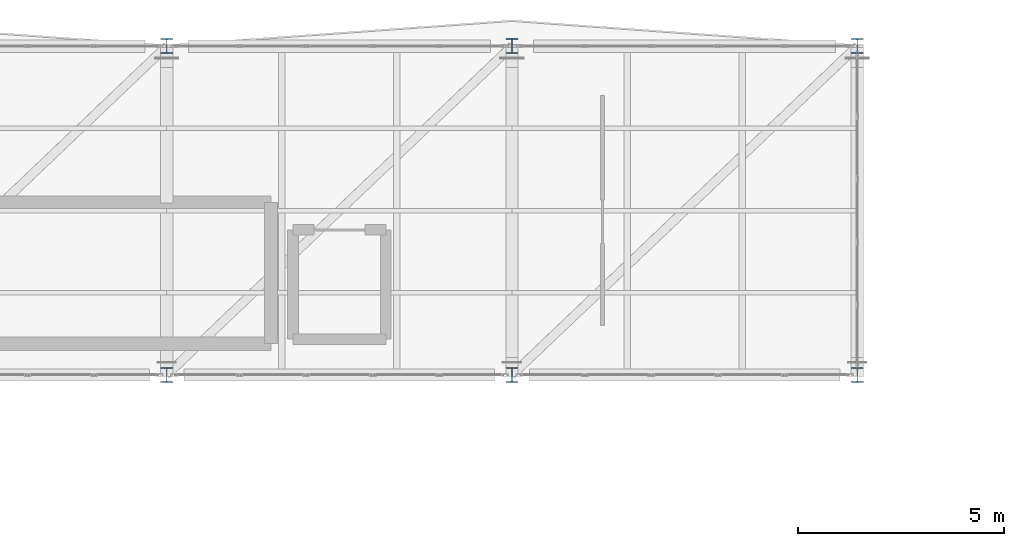
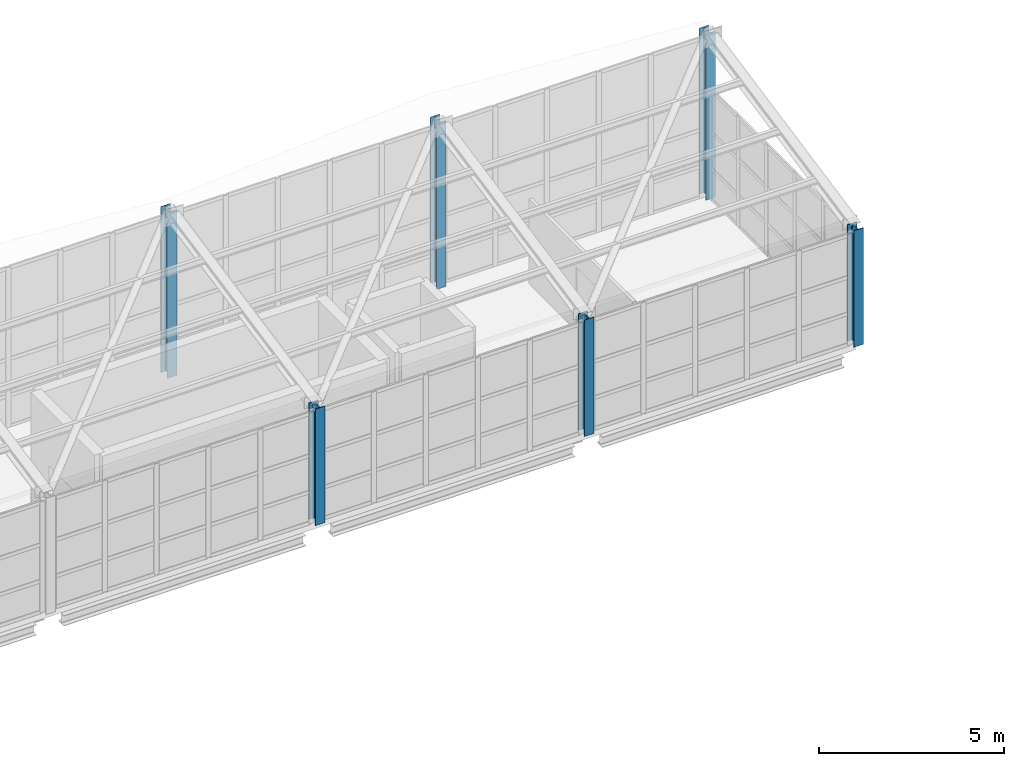
# One storey, part 7 of 177: 6 columns.
"""IFC4 building model written with IfcOpenShell, lengths in metres."""

import ifcopenshell
import ifcopenshell.guid

model = None  # the IFC model being written
_history = None  # IfcOwnerHistory: only IFC2X3 demands one
_inside = {}  # id of a spatial element -> (the spatial element, [elements in it])
_under = {}  # id of a project, library or spatial element -> (it, [spatial elements below it])
_declared = {}  # id of a project -> (the project, [libraries it declares])
_typed = {}  # id of a type object -> (the type object, [elements of that type])
_made_of = {}  # id of a material, layer set ... -> (it, [elements and type objects made of it])


def new_model(schema):
    """Start an empty IFC model of exactly this schema.

    Asked for "IFC4X3", IfcOpenShell would pick the latest addendum, in which some entities
    have other attributes; the version numbers below select the first issue.
    IFC2X3 requires an IfcOwnerHistory on every rooted entity: one is made here for all.
    """
    global model, _history
    if schema == "IFC4X3":
        model = ifcopenshell.file(schema_version=(4, 3, 0, 0))
    else:
        model = ifcopenshell.file(schema=schema)
    _inside.clear()
    _under.clear()
    _declared.clear()
    _typed.clear()
    _made_of.clear()
    _history = None
    if model.schema == "IFC2X3":
        org = make("IfcOrganization", Name="unknown")
        user = make(
            "IfcPersonAndOrganization",
            ThePerson=make("IfcPerson", FamilyName="unknown"),
            TheOrganization=org,
        )
        app = make(
            "IfcApplication",
            ApplicationDeveloper=org,
            Version="unknown",
            ApplicationFullName="unknown",
            ApplicationIdentifier="unknown",
        )
        _history = make(
            "IfcOwnerHistory",
            OwningUser=user,
            OwningApplication=app,
            ChangeAction="ADDED",
            CreationDate=0,
        )
    return model


def make(cls, **values):
    """One entity of the class cls with the attributes given. An attribute that is None is left unset."""
    return model.create_entity(
        cls, **{name: value for name, value in values.items() if value is not None}
    )


def rooted(cls, **values):
    """An entity with a GlobalId (a new one), such as an element, a storey or a relation."""
    return make(cls, GlobalId=ifcopenshell.guid.new(), OwnerHistory=_history, **values)


def si_unit(unit_type, name, prefix=None):
    """IfcSIUnit, for example si_unit("LENGTHUNIT", "METRE", prefix="MILLI")."""
    return make("IfcSIUnit", UnitType=unit_type, Prefix=prefix, Name=name)


def assignment(units):
    """IfcUnitAssignment: the units of a project."""
    return None if units is None else make("IfcUnitAssignment", Units=units)


def point(xyz):
    """IfcCartesianPoint."""
    return None if xyz is None else make("IfcCartesianPoint", Coordinates=xyz)


def direction(xyz):
    """IfcDirection."""
    return None if xyz is None else make("IfcDirection", DirectionRatios=xyz)


def frame(location, z_axis=None, x_axis=None):
    """IfcAxis2Placement3D, a coordinate frame: its origin and axes. An axis left out is left unset."""
    return make(
        "IfcAxis2Placement3D",
        Location=point(location),
        Axis=direction(z_axis),
        RefDirection=direction(x_axis),
    )


def frame_2d(location, x_axis=None):
    """IfcAxis2Placement2D, a coordinate frame in the plane: its origin and x axis."""
    return make(
        "IfcAxis2Placement2D", Location=point(location), RefDirection=direction(x_axis)
    )


def origin():
    """The frame at (0, 0, 0) with its axes left unset."""
    return frame((0.0, 0.0, 0.0))


def origin_2d():
    """The frame at (0, 0) in the plane with its x axis left unset."""
    return frame_2d((0.0, 0.0))


def place(relative_to, where):
    """IfcLocalPlacement: puts the frame where relative to a parent placement (None: the world)."""
    return make(
        "IfcLocalPlacement", PlacementRelTo=relative_to, RelativePlacement=where
    )


def context(
    kind, dimensions, precision=None, world=None, true_north=None, identifier=None
):
    """IfcGeometricRepresentationContext, for example the 3D "Model" context."""
    return make(
        "IfcGeometricRepresentationContext",
        ContextIdentifier=identifier,
        ContextType=kind,
        CoordinateSpaceDimension=dimensions,
        Precision=precision,
        WorldCoordinateSystem=world,
        TrueNorth=true_north,
    )


def subcontext(parent, identifier, kind, view, scale=None):
    """IfcGeometricRepresentationSubContext, for example "Body" below "Model"."""
    return make(
        "IfcGeometricRepresentationSubContext",
        ContextIdentifier=identifier,
        ContextType=kind,
        ParentContext=parent,
        TargetScale=scale,
        TargetView=view,
    )


def project(units=None, contexts=None):
    """IfcProject with its units and contexts."""
    return rooted(
        "IfcProject",
        Name="project",
        RepresentationContexts=contexts,
        UnitsInContext=assignment(units),
    )


def spatial(cls, under=None, at=None, **own):
    """A site, building, storey or space (cls), placed at a placement, below another one or the project."""
    s = rooted(cls, ObjectPlacement=at, **own)
    if under is not None:
        _under.setdefault(under.id(), (under, []))[1].append(s)
    return s


def profile(cls, at=None, kind="AREA", **sizes):
    """A parametric profile (cls). Its sizes go by their IFC names, for example OverallWidth=200.0."""
    return make(cls, ProfileType=kind, Position=at, **sizes)


def i_section(**sizes):
    """IfcIShapeProfileDef."""
    return profile("IfcIShapeProfileDef", **sizes)


def extrude(swept, where, along, depth):
    """IfcExtrudedAreaSolid: the profile swept, set in the frame where, extruded along a direction by depth."""
    return make(
        "IfcExtrudedAreaSolid",
        SweptArea=swept,
        Position=where,
        ExtrudedDirection=direction(along),
        Depth=depth,
    )


def shape(context_of_items, identifier, shape_type, items):
    """IfcShapeRepresentation: the items that make up one representation, for example the "Body"."""
    return make(
        "IfcShapeRepresentation",
        ContextOfItems=context_of_items,
        RepresentationIdentifier=identifier,
        RepresentationType=shape_type,
        Items=items,
    )


def material(Name=None, Category=None):
    """IfcMaterial."""
    return make("IfcMaterial", Name=Name, Category=Category)


def material_profile(
    of_material, cross_section, Name=None, Category=None, Priority=None
):
    """IfcMaterialProfile: a cross section and its material."""
    return make(
        "IfcMaterialProfile",
        Name=Name,
        Material=of_material,
        Profile=cross_section,
        Priority=Priority,
        Category=Category,
    )


def profile_set(profiles, Name=None, composite=None):
    """IfcMaterialProfileSet."""
    return make(
        "IfcMaterialProfileSet",
        Name=Name,
        MaterialProfiles=profiles,
        CompositeProfile=composite,
    )


def made_of(thing, what):
    """Note that an element or type object is made of a material, layer set ...; save() writes the relation."""
    if what is not None:
        _made_of.setdefault(what.id(), (what, []))[1].append(thing)
    return thing


def type_object(cls, material=None, **own):
    """A type object (cls), such as IfcWallType, which elements share."""
    return made_of(rooted(cls, **own), material)


def element(
    cls,
    number,
    at=None,
    inside=None,
    cuts=None,
    type_object=None,
    material=None,
    context=None,
    identifier="Body",
    shape_type=None,
    held_by="IfcProductDefinitionShape",
    body=None,
    shapes=None,
    **own,
):
    """One element of the class cls, such as IfcWall. Its Tag is "e" and its number.

    at: its placement. inside: the storey or other place that contains it. cuts: it is an
    opening in that element (IfcRelVoidsElement). A single representation is given by context,
    identifier, shape_type and body (its items); several are given by shapes. held_by: the class
    of the entity that holds the representations. save() writes the other relations.
    """
    e = rooted(cls, Tag="e%d" % number, ObjectPlacement=at, **own)
    if body is not None:
        shapes = [shape(context, identifier, shape_type, body)]
    if shapes is not None:
        e.Representation = make(held_by, Representations=shapes)
    if inside is not None:
        _inside.setdefault(inside.id(), (inside, []))[1].append(e)
    if cuts is not None:
        rooted(
            "IfcRelVoidsElement", RelatingBuildingElement=cuts, RelatedOpeningElement=e
        )
    if type_object is not None:
        _typed.setdefault(type_object.id(), (type_object, []))[1].append(e)
    return made_of(e, material)


def aggregate(whole, parts):
    """IfcRelAggregates: a whole, such as a stair, and the parts it consists of."""
    return rooted("IfcRelAggregates", RelatingObject=whole, RelatedObjects=parts)


def save(model, path):
    """Write the relations noted so far, then the file.

    IfcRelAggregates (storeys below a building ...), IfcRelContainedInSpatialStructure (elements
    in a storey), IfcRelDefinesByType, IfcRelAssociatesMaterial and IfcRelDeclares: one each for
    every whole, place, type object, material and project.
    """
    for whole, parts in _under.values():
        aggregate(whole, parts)
    for where, things in _inside.values():
        rooted(
            "IfcRelContainedInSpatialStructure",
            RelatedElements=things,
            RelatingStructure=where,
        )
    for kind, things in _typed.values():
        rooted("IfcRelDefinesByType", RelatedObjects=things, RelatingType=kind)
    for what, things in _made_of.values():
        rooted("IfcRelAssociatesMaterial", RelatedObjects=things, RelatingMaterial=what)
    for by, libraries in _declared.values():
        rooted("IfcRelDeclares", RelatingContext=by, RelatedDefinitions=libraries)
    model.write(path)


model = new_model("IFC4")

# Units and contexts
model_context = context("Model", 3, precision=1e-05, world=origin(), true_north=direction((0.0, 1.0)))
body_context = subcontext(model_context, "Body", "Model", "MODEL_VIEW")
ifc_project = project(units=[si_unit("LENGTHUNIT", "METRE"), si_unit("AREAUNIT", "SQUARE_METRE"), si_unit("VOLUMEUNIT", "CUBIC_METRE"), si_unit("PLANEANGLEUNIT", "RADIAN"), si_unit("MASSUNIT", "GRAM", prefix="KILO"), si_unit("THERMODYNAMICTEMPERATUREUNIT", "KELVIN"), si_unit("POWERUNIT", "WATT")], contexts=[model_context])

# Site, building, storey
site_placement = place(None, origin())
site = spatial("IfcSite", under=ifc_project, at=site_placement, CompositionType="ELEMENT")
building_placement = place(site_placement, origin())
building = spatial("IfcBuilding", under=site, at=building_placement, Name="Mavoryth Pier Ferry Terminal", CompositionType="ELEMENT")
storey_placement = place(building_placement, frame((0.0, 0.0, 5.43994140625)))
storey = spatial("IfcBuildingStorey", under=building, at=storey_placement, Name="L01", CompositionType="ELEMENT", Elevation=5.43994140625)

# Columns
ifc_material = material(Name="Steel S355J2", Category="steel")
ifc_material_profile = material_profile(ifc_material, i_section(OverallWidth=0.300048828125, OverallDepth=0.360107421875, WebThickness=0.012451171875, FlangeThickness=0.0224609375, FilletRadius=0.027099609375, at=origin_2d()), Name="HEB 360", Category="steel")
ifc_profile_set = profile_set([ifc_material_profile], Name="Steel S355J2 - HEB 360")
column_type = type_object("IfcColumnType", Name="Col-SteelBridge-HEB360", PredefinedType="COLUMN", material=ifc_profile_set)
column_1_placement = place(storey_placement, frame((134.39990234375, 106.0, 0.0), z_axis=(0.0, 0.0, 1.0), x_axis=(1.0, 0.0, 0.0)))
element("IfcColumn", 1, at=column_1_placement, inside=storey, type_object=column_type, Name="Column C01-SC03-288", PredefinedType="COLUMN", context=body_context, shape_type="SweptSolid", body=[
    extrude(i_section(OverallWidth=0.300048828125, OverallDepth=0.360107421875, WebThickness=0.012451171875, FlangeThickness=0.0224609375, FilletRadius=0.027099609375, at=origin_2d()), origin(), (0.0, 0.0, 1.0), 3.840087890625),
])
column_2_placement = place(storey_placement, frame((134.39990234375, 114.0, 0.0), z_axis=(0.0, 0.0, 1.0), x_axis=(1.0, 0.0, 0.0)))
element("IfcColumn", 2, at=column_2_placement, inside=storey, type_object=column_type, Name="Column C01-SC03-290", PredefinedType="COLUMN", context=body_context, shape_type="SweptSolid", body=[
    extrude(i_section(OverallWidth=0.300048828125, OverallDepth=0.360107421875, WebThickness=0.012451171875, FlangeThickness=0.0224609375, FilletRadius=0.027099609375, at=origin_2d()), origin(), (0.0, 0.0, 1.0), 5.4677734375),
])
column_3_placement = place(storey_placement, frame((142.800048828125, 106.0, 0.0), z_axis=(0.0, 0.0, 1.0), x_axis=(1.0, 0.0, 0.0)))
element("IfcColumn", 3, at=column_3_placement, inside=storey, type_object=column_type, Name="Column C01-SC03-292", PredefinedType="COLUMN", context=body_context, shape_type="SweptSolid", body=[
    extrude(i_section(OverallWidth=0.300048828125, OverallDepth=0.360107421875, WebThickness=0.012451171875, FlangeThickness=0.0224609375, FilletRadius=0.027099609375, at=origin_2d()), origin(), (0.0, 0.0, 1.0), 3.840087890625),
])
column_4_placement = place(storey_placement, frame((142.800048828125, 114.0, 0.0), z_axis=(0.0, 0.0, 1.0), x_axis=(1.0, 0.0, 0.0)))
element("IfcColumn", 4, at=column_4_placement, inside=storey, type_object=column_type, Name="Column C01-SC03-294", PredefinedType="COLUMN", context=body_context, shape_type="SweptSolid", body=[
    extrude(i_section(OverallWidth=0.300048828125, OverallDepth=0.360107421875, WebThickness=0.012451171875, FlangeThickness=0.0224609375, FilletRadius=0.027099609375, at=origin_2d()), origin(), (0.0, 0.0, 1.0), 5.4677734375),
])
column_5_placement = place(storey_placement, frame((151.199951171875, 106.0, 0.0), z_axis=(0.0, 0.0, 1.0), x_axis=(1.0, 0.0, 0.0)))
element("IfcColumn", 5, at=column_5_placement, inside=storey, type_object=column_type, Name="Column C01-SC03-296", PredefinedType="COLUMN", context=body_context, shape_type="SweptSolid", body=[
    extrude(i_section(OverallWidth=0.300048828125, OverallDepth=0.360107421875, WebThickness=0.012451171875, FlangeThickness=0.0224609375, FilletRadius=0.027099609375, at=origin_2d()), origin(), (0.0, 0.0, 1.0), 3.840087890625),
])
column_6_placement = place(storey_placement, frame((151.199951171875, 114.0, 0.0), z_axis=(0.0, 0.0, 1.0), x_axis=(1.0, 0.0, 0.0)))
element("IfcColumn", 6, at=column_6_placement, inside=storey, type_object=column_type, Name="Column C01-SC03-298", PredefinedType="COLUMN", context=body_context, shape_type="SweptSolid", body=[
    extrude(i_section(OverallWidth=0.300048828125, OverallDepth=0.360107421875, WebThickness=0.012451171875, FlangeThickness=0.0224609375, FilletRadius=0.027099609375, at=origin_2d()), origin(), (0.0, 0.0, 1.0), 5.4677734375),
])

save(model, "model.ifc")
